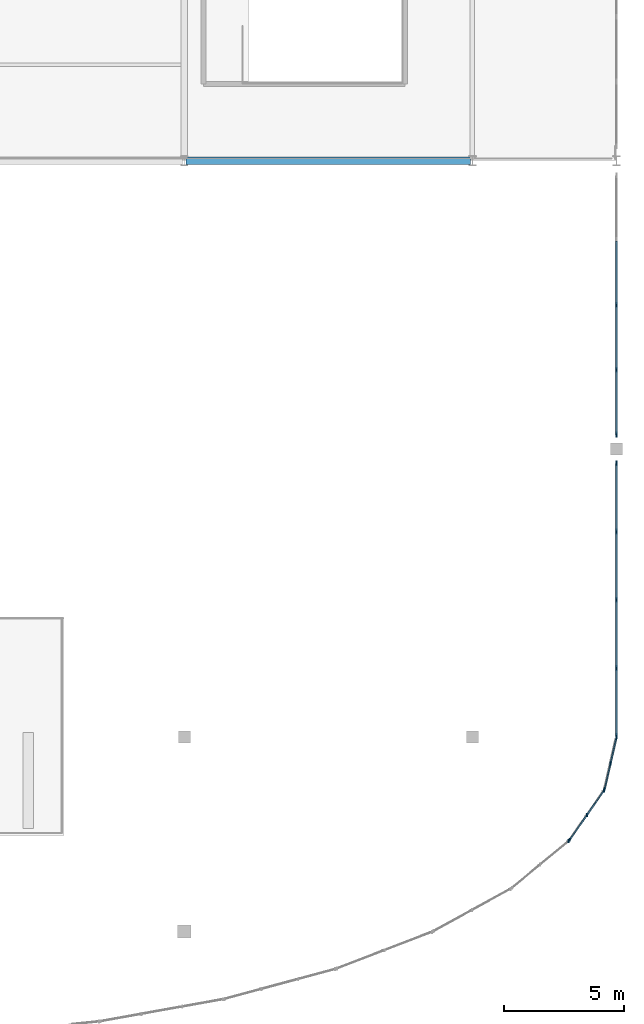
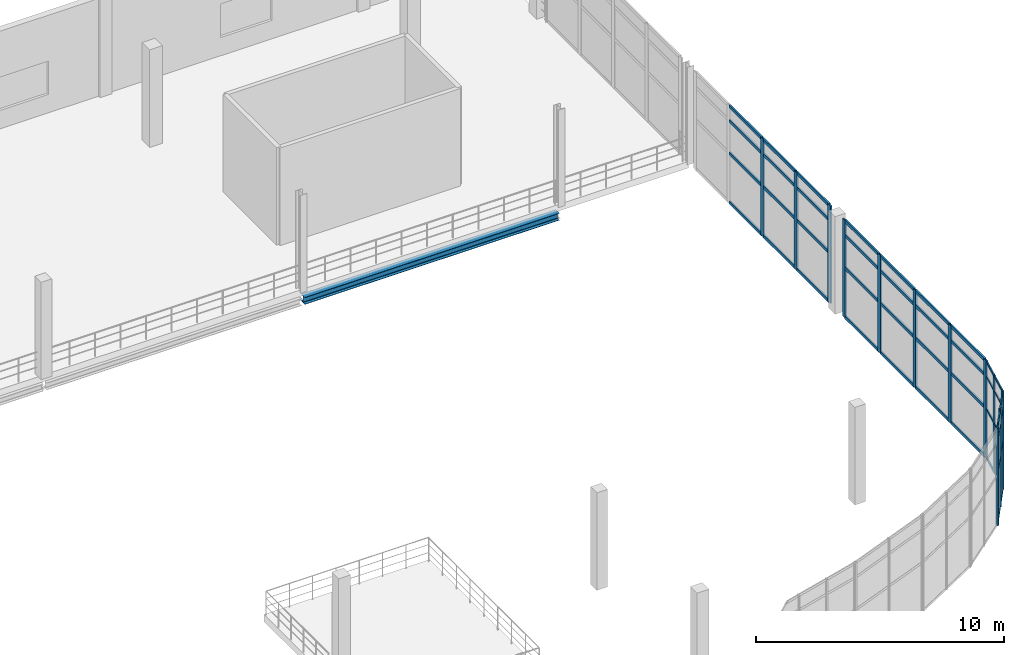
# One storey, part 24 of 52: 59 members, 1 beam, 5 elements without a shape of their own.
"""IFC4 building model written with IfcOpenShell, lengths in metres."""

from ifc_helpers import new_model, si_unit, direction, frame, origin, origin_2d, place, context, subcontext, project, spatial, rectangle, i_section, extrude, material, material_profile, profile_set, type_object, element, aggregate, save


model = new_model("IFC4")

# Units and contexts
model_context = context("Model", 3, precision=1e-05, world=origin(), true_north=direction((0.0, 1.0)))
body_context = subcontext(model_context, "Body", "Model", "MODEL_VIEW")
ifc_project = project(units=[si_unit("LENGTHUNIT", "METRE"), si_unit("AREAUNIT", "SQUARE_METRE"), si_unit("VOLUMEUNIT", "CUBIC_METRE"), si_unit("PLANEANGLEUNIT", "RADIAN"), si_unit("MASSUNIT", "GRAM", prefix="KILO"), si_unit("THERMODYNAMICTEMPERATUREUNIT", "KELVIN"), si_unit("POWERUNIT", "WATT")], contexts=[model_context])

# Site, building, storey
site_placement = place(None, origin())
site = spatial("IfcSite", under=ifc_project, at=site_placement, CompositionType="ELEMENT")
building_placement = place(site_placement, origin())
building = spatial("IfcBuilding", under=site, at=building_placement, Name="Solmara Park Aquatics Centre", CompositionType="ELEMENT")
storey_placement = place(building_placement, frame((0.0, 0.0, 9.60009765625)))
storey = spatial("IfcBuildingStorey", under=building, at=storey_placement, Name="L02", CompositionType="ELEMENT", Elevation=9.60009765625)

# Curtain wall, member
ifc_material_1 = material(Name="Anodised Aluminium Curtain Wall Framing", Category="aluminium")
curtain_wall_type = type_object("IfcCurtainWallType", Name="ARC-CW-SYS03", PredefinedType="USERDEFINED", material=ifc_material_1)
curtain_wall_1_placement = place(storey_placement, origin())
curtain_wall_1 = element("IfcCurtainWall", 1, at=curtain_wall_1_placement, inside=storey, type_object=curtain_wall_type, Name="Curtain Wall CW-066", ObjectType="CURTAIN WALL", PredefinedType="USERDEFINED")
ifc_material_2 = material(Name="Anodised Aluminium Alloy 6063-T6", Category="aluminium")
ifc_material_profile_1 = material_profile(ifc_material_2, rectangle(XDim=0.054931640625, YDim=0.139892578125, at=origin_2d()), Name="ALU MULLION 55x140")
ifc_profile_set_1 = profile_set([ifc_material_profile_1], Name="Anodised Aluminium Alloy 6063-T6")
member_type_1 = type_object("IfcMemberType", Name="ARC-CWM-55x140", PredefinedType="MULLION", material=ifc_profile_set_1)
member_1_placement = place(storey_placement, frame((159.9970703125, 8.264892578125, 0.0), z_axis=(0.0, 0.0, 1.0), x_axis=(1.0, 0.0, 0.0)))
member_1 = element("IfcMember", 2, at=member_1_placement, type_object=member_type_1, Name="CW-066 mullion 3", PredefinedType="MULLION", context=body_context, shape_type="SweptSolid", body=[
    extrude(rectangle(XDim=0.054931640625, YDim=0.139892578125, at=origin_2d()), origin(), (0.0, 0.0, 1.0), 4.7998046875),
])
aggregate(curtain_wall_1, [member_1])

# Curtain wall, members
curtain_wall_2_placement = place(storey_placement, origin())
curtain_wall_2 = element("IfcCurtainWall", 3, at=curtain_wall_2_placement, inside=storey, type_object=curtain_wall_type, Name="Curtain Wall CW-069", ObjectType="CURTAIN WALL", PredefinedType="USERDEFINED")
member_2_placement = place(storey_placement, frame((160.05078125, 8.3232421875, 0.0), z_axis=(0.0, 0.0, 1.0), x_axis=(1.0, 0.0, 0.0)))
member_2 = element("IfcMember", 4, at=member_2_placement, type_object=member_type_1, Name="CW-069 mullion 1", PredefinedType="MULLION", context=body_context, shape_type="SweptSolid", body=[
    extrude(rectangle(XDim=0.054931640625, YDim=0.139892578125, at=origin_2d()), origin(), (0.0, 0.0, 1.0), 4.7998046875),
])
member_3_placement = place(storey_placement, frame((160.765380859375, 9.351318359375, 0.0), z_axis=(0.0, 0.0, 1.0), x_axis=(1.0, 0.0, 0.0)))
member_3 = element("IfcMember", 5, at=member_3_placement, type_object=member_type_1, Name="CW-069 mullion 2", PredefinedType="MULLION", context=body_context, shape_type="SweptSolid", body=[
    extrude(rectangle(XDim=0.054931640625, YDim=0.139892578125, at=origin_2d()), origin(), (0.0, 0.0, 1.0), 4.7998046875),
])
member_4_placement = place(storey_placement, frame((161.48046875, 10.379150390625, 0.0), z_axis=(0.0, 0.0, 1.0), x_axis=(1.0, 0.0, 0.0)))
member_4 = element("IfcMember", 6, at=member_4_placement, type_object=member_type_1, Name="CW-069 mullion 3", PredefinedType="MULLION", context=body_context, shape_type="SweptSolid", body=[
    extrude(rectangle(XDim=0.054931640625, YDim=0.139892578125, at=origin_2d()), origin(), (0.0, 0.0, 1.0), 4.7998046875),
])

curtain_wall_3_placement = place(storey_placement, origin())
curtain_wall_3 = element("IfcCurtainWall", 7, at=curtain_wall_3_placement, inside=storey, type_object=curtain_wall_type, Name="Curtain Wall CW-072", ObjectType="CURTAIN WALL", PredefinedType="USERDEFINED")
member_5_placement = place(storey_placement, frame((161.51220703125, 10.450927734375, 0.0), z_axis=(0.0, 0.0, 1.0), x_axis=(1.0, 0.0, 0.0)))
member_5 = element("IfcMember", 8, at=member_5_placement, type_object=member_type_1, Name="CW-072 mullion 1", PredefinedType="MULLION", context=body_context, shape_type="SweptSolid", body=[
    extrude(rectangle(XDim=0.054931640625, YDim=0.139892578125, at=origin_2d()), origin(), (0.0, 0.0, 1.0), 4.7998046875),
])
member_6_placement = place(storey_placement, frame((161.751708984375, 11.506103515625, 0.0), z_axis=(0.0, 0.0, 1.0), x_axis=(1.0, 0.0, 0.0)))
member_6 = element("IfcMember", 9, at=member_6_placement, type_object=member_type_1, Name="CW-072 mullion 2", PredefinedType="MULLION", context=body_context, shape_type="SweptSolid", body=[
    extrude(rectangle(XDim=0.054931640625, YDim=0.139892578125, at=origin_2d()), origin(), (0.0, 0.0, 1.0), 4.7998046875),
])
member_7_placement = place(storey_placement, frame((161.9912109375, 12.56103515625, 0.0), z_axis=(0.0, 0.0, 1.0), x_axis=(1.0, 0.0, 0.0)))
member_7 = element("IfcMember", 10, at=member_7_placement, type_object=member_type_1, Name="CW-072 mullion 3", PredefinedType="MULLION", context=body_context, shape_type="SweptSolid", body=[
    extrude(rectangle(XDim=0.054931640625, YDim=0.139892578125, at=origin_2d()), origin(), (0.0, 0.0, 1.0), 4.7998046875),
])

curtain_wall_4_placement = place(storey_placement, origin())
curtain_wall_4 = element("IfcCurtainWall", 11, at=curtain_wall_4_placement, inside=storey, type_object=curtain_wall_type, Name="Curtain Wall CW-076", ObjectType="CURTAIN WALL", PredefinedType="USERDEFINED")
ifc_material_profile_2 = material_profile(ifc_material_2, rectangle(XDim=0.074951171875, YDim=0.219970703125, at=origin_2d()), Name="ALU MULLION 75x220")
ifc_profile_set_2 = profile_set([ifc_material_profile_2], Name="Anodised Aluminium Alloy 6063-T6")
member_type_2 = type_object("IfcMemberType", Name="ARC-CWM-75x220", PredefinedType="MULLION", material=ifc_profile_set_2)
member_8_placement = place(storey_placement, frame((162.0, 12.639892578125, 0.0), z_axis=(0.0, 0.0, 1.0), x_axis=(1.0, 0.0, 0.0)))
member_8 = element("IfcMember", 12, at=member_8_placement, type_object=member_type_2, Name="CW-076 mullion 1", PredefinedType="MULLION", context=body_context, shape_type="SweptSolid", body=[
    extrude(rectangle(XDim=0.074951171875, YDim=0.219970703125, at=origin_2d()), origin(), (0.0, 0.0, 1.0), 4.7998046875),
])
member_9_placement = place(storey_placement, frame((162.0, 15.47998046875, 0.0), z_axis=(0.0, 0.0, 1.0), x_axis=(1.0, 0.0, 0.0)))
member_9 = element("IfcMember", 13, at=member_9_placement, type_object=member_type_2, Name="CW-076 mullion 2", PredefinedType="MULLION", context=body_context, shape_type="SweptSolid", body=[
    extrude(rectangle(XDim=0.074951171875, YDim=0.219970703125, at=origin_2d()), origin(), (0.0, 0.0, 1.0), 4.7998046875),
])
member_10_placement = place(storey_placement, frame((162.0, 18.320068359375, 0.0), z_axis=(0.0, 0.0, 1.0), x_axis=(1.0, 0.0, 0.0)))
member_10 = element("IfcMember", 14, at=member_10_placement, type_object=member_type_2, Name="CW-076 mullion 3", PredefinedType="MULLION", context=body_context, shape_type="SweptSolid", body=[
    extrude(rectangle(XDim=0.074951171875, YDim=0.219970703125, at=origin_2d()), origin(), (0.0, 0.0, 1.0), 4.7998046875),
])
member_11_placement = place(storey_placement, frame((162.0, 21.159912109375, 0.0), z_axis=(0.0, 0.0, 1.0), x_axis=(1.0, 0.0, 0.0)))
member_11 = element("IfcMember", 15, at=member_11_placement, type_object=member_type_2, Name="CW-076 mullion 4", PredefinedType="MULLION", context=body_context, shape_type="SweptSolid", body=[
    extrude(rectangle(XDim=0.074951171875, YDim=0.219970703125, at=origin_2d()), origin(), (0.0, 0.0, 1.0), 4.7998046875),
])
member_12_placement = place(storey_placement, frame((162.0, 24.0, 0.0), z_axis=(0.0, 0.0, 1.0), x_axis=(1.0, 0.0, 0.0)))
member_12 = element("IfcMember", 16, at=member_12_placement, type_object=member_type_2, Name="CW-076 mullion 5", PredefinedType="MULLION", context=body_context, shape_type="SweptSolid", body=[
    extrude(rectangle(XDim=0.074951171875, YDim=0.219970703125, at=origin_2d()), origin(), (0.0, 0.0, 1.0), 4.7998046875),
])

curtain_wall_5_placement = place(storey_placement, origin())
curtain_wall_5 = element("IfcCurtainWall", 17, at=curtain_wall_5_placement, inside=storey, type_object=curtain_wall_type, Name="Curtain Wall CW-079", ObjectType="CURTAIN WALL", PredefinedType="USERDEFINED")
member_13_placement = place(storey_placement, frame((162.0, 25.199951171875, 0.0), z_axis=(0.0, 0.0, 1.0), x_axis=(1.0, 0.0, 0.0)))
member_13 = element("IfcMember", 18, at=member_13_placement, type_object=member_type_2, Name="CW-079 mullion 1", PredefinedType="MULLION", context=body_context, shape_type="SweptSolid", body=[
    extrude(rectangle(XDim=0.074951171875, YDim=0.219970703125, at=origin_2d()), origin(), (0.0, 0.0, 1.0), 4.7998046875),
])
member_14_placement = place(storey_placement, frame((162.0, 27.89990234375, 0.0), z_axis=(0.0, 0.0, 1.0), x_axis=(1.0, 0.0, 0.0)))
member_14 = element("IfcMember", 19, at=member_14_placement, type_object=member_type_2, Name="CW-079 mullion 2", PredefinedType="MULLION", context=body_context, shape_type="SweptSolid", body=[
    extrude(rectangle(XDim=0.074951171875, YDim=0.219970703125, at=origin_2d()), origin(), (0.0, 0.0, 1.0), 4.7998046875),
])
member_15_placement = place(storey_placement, frame((162.0, 30.60009765625, 0.0), z_axis=(0.0, 0.0, 1.0), x_axis=(1.0, 0.0, 0.0)))
member_15 = element("IfcMember", 20, at=member_15_placement, type_object=member_type_2, Name="CW-079 mullion 3", PredefinedType="MULLION", context=body_context, shape_type="SweptSolid", body=[
    extrude(rectangle(XDim=0.074951171875, YDim=0.219970703125, at=origin_2d()), origin(), (0.0, 0.0, 1.0), 4.7998046875),
])

# Member
ifc_material_profile_3 = material_profile(ifc_material_2, rectangle(XDim=0.054931640625, YDim=0.110107421875, at=origin_2d()), Name="ALU TRANSOM 55x110")
ifc_profile_set_3 = profile_set([ifc_material_profile_3], Name="Anodised Aluminium Alloy 6063-T6")
member_type_3 = type_object("IfcMemberType", Name="ARC-CWT-55x110", PredefinedType="USERDEFINED", material=ifc_profile_set_3)
member_16_placement = place(storey_placement, frame((160.062255859375, 8.33984375, 0.039794921875), z_axis=(0.570844718132, 0.821058041664, 0.0), x_axis=(-0.821058041664, 0.570844718132, 0.0)))
member_16 = element("IfcMember", 21, at=member_16_placement, type_object=member_type_3, Name="CW-069 transom 1", ObjectType="TRANSOM", PredefinedType="USERDEFINED", context=body_context, shape_type="SweptSolid", body=[
    extrude(rectangle(XDim=0.054931640625, YDim=0.110107421875, at=origin_2d()), origin(), (0.0, 0.0, 1.0), 1.171875),
])

member_17_placement = place(storey_placement, frame((160.062255859375, 8.33984375, 2.449951171875), z_axis=(0.570844718132, 0.821058041664, 0.0), x_axis=(-0.821058041664, 0.570844718132, 0.0)))
member_17 = element("IfcMember", 22, at=member_17_placement, type_object=member_type_3, Name="CW-069 transom 2", ObjectType="TRANSOM", PredefinedType="USERDEFINED", context=body_context, shape_type="SweptSolid", body=[
    extrude(rectangle(XDim=0.054931640625, YDim=0.110107421875, at=origin_2d()), origin(), (0.0, 0.0, 1.0), 1.171875),
])

member_18_placement = place(storey_placement, frame((160.062255859375, 8.33984375, 4.0498046875), z_axis=(0.570844718132, 0.821058041664, 0.0), x_axis=(-0.821058041664, 0.570844718132, 0.0)))
member_18 = element("IfcMember", 23, at=member_18_placement, type_object=member_type_3, Name="CW-069 transom 3", ObjectType="TRANSOM", PredefinedType="USERDEFINED", context=body_context, shape_type="SweptSolid", body=[
    extrude(rectangle(XDim=0.054931640625, YDim=0.110107421875, at=origin_2d()), origin(), (0.0, 0.0, 1.0), 1.171875),
])

member_19_placement = place(storey_placement, frame((160.062255859375, 8.33984375, 4.760009765625), z_axis=(0.570844718132, 0.821058041664, 0.0), x_axis=(-0.821058041664, 0.570844718132, 0.0)))
member_19 = element("IfcMember", 24, at=member_19_placement, type_object=member_type_3, Name="CW-069 transom 4", ObjectType="TRANSOM", PredefinedType="USERDEFINED", context=body_context, shape_type="SweptSolid", body=[
    extrude(rectangle(XDim=0.054931640625, YDim=0.110107421875, at=origin_2d()), origin(), (0.0, 0.0, 1.0), 1.171875),
])

member_20_placement = place(storey_placement, frame((160.777099609375, 9.36767578125, 0.039794921875), z_axis=(0.570844718132, 0.821058041664, 0.0), x_axis=(-0.821058041664, 0.570844718132, 0.0)))
member_20 = element("IfcMember", 25, at=member_20_placement, type_object=member_type_3, Name="CW-069 transom 5", ObjectType="TRANSOM", PredefinedType="USERDEFINED", context=body_context, shape_type="SweptSolid", body=[
    extrude(rectangle(XDim=0.054931640625, YDim=0.110107421875, at=origin_2d()), origin(), (0.0, 0.0, 1.0), 1.171875),
])

member_21_placement = place(storey_placement, frame((160.777099609375, 9.36767578125, 2.449951171875), z_axis=(0.570844718132, 0.821058041664, 0.0), x_axis=(-0.821058041664, 0.570844718132, 0.0)))
member_21 = element("IfcMember", 26, at=member_21_placement, type_object=member_type_3, Name="CW-069 transom 6", ObjectType="TRANSOM", PredefinedType="USERDEFINED", context=body_context, shape_type="SweptSolid", body=[
    extrude(rectangle(XDim=0.054931640625, YDim=0.110107421875, at=origin_2d()), origin(), (0.0, 0.0, 1.0), 1.171875),
])

member_22_placement = place(storey_placement, frame((160.777099609375, 9.36767578125, 4.0498046875), z_axis=(0.570844718132, 0.821058041664, 0.0), x_axis=(-0.821058041664, 0.570844718132, 0.0)))
member_22 = element("IfcMember", 27, at=member_22_placement, type_object=member_type_3, Name="CW-069 transom 7", ObjectType="TRANSOM", PredefinedType="USERDEFINED", context=body_context, shape_type="SweptSolid", body=[
    extrude(rectangle(XDim=0.054931640625, YDim=0.110107421875, at=origin_2d()), origin(), (0.0, 0.0, 1.0), 1.171875),
])

member_23_placement = place(storey_placement, frame((160.777099609375, 9.36767578125, 4.760009765625), z_axis=(0.570844718132, 0.821058041664, 0.0), x_axis=(-0.821058041664, 0.570844718132, 0.0)))
member_23 = element("IfcMember", 28, at=member_23_placement, type_object=member_type_3, Name="CW-069 transom 8", ObjectType="TRANSOM", PredefinedType="USERDEFINED", context=body_context, shape_type="SweptSolid", body=[
    extrude(rectangle(XDim=0.054931640625, YDim=0.110107421875, at=origin_2d()), origin(), (0.0, 0.0, 1.0), 1.171875),
])

aggregate(curtain_wall_2, [member_2, member_3, member_4, member_16, member_17, member_18, member_19, member_20, member_21, member_22, member_23])

member_24_placement = place(storey_placement, frame((161.5166015625, 10.470458984375, 0.039794921875), z_axis=(0.221262986653, 0.975214176854, 0.0), x_axis=(-0.975214176854, 0.221262986653, 0.0)))
member_24 = element("IfcMember", 29, at=member_24_placement, type_object=member_type_3, Name="CW-072 transom 1", ObjectType="TRANSOM", PredefinedType="USERDEFINED", context=body_context, shape_type="SweptSolid", body=[
    extrude(rectangle(XDim=0.054931640625, YDim=0.110107421875, at=origin_2d()), origin(), (0.0, 0.0, 1.0), 1.001953125),
])

member_25_placement = place(storey_placement, frame((161.5166015625, 10.470458984375, 2.449951171875), z_axis=(0.221262986653, 0.975214176854, 0.0), x_axis=(-0.975214176854, 0.221262986653, 0.0)))
member_25 = element("IfcMember", 30, at=member_25_placement, type_object=member_type_3, Name="CW-072 transom 2", ObjectType="TRANSOM", PredefinedType="USERDEFINED", context=body_context, shape_type="SweptSolid", body=[
    extrude(rectangle(XDim=0.054931640625, YDim=0.110107421875, at=origin_2d()), origin(), (0.0, 0.0, 1.0), 1.001953125),
])

member_26_placement = place(storey_placement, frame((161.5166015625, 10.470458984375, 4.0498046875), z_axis=(0.221262986653, 0.975214176854, 0.0), x_axis=(-0.975214176854, 0.221262986653, 0.0)))
member_26 = element("IfcMember", 31, at=member_26_placement, type_object=member_type_3, Name="CW-072 transom 3", ObjectType="TRANSOM", PredefinedType="USERDEFINED", context=body_context, shape_type="SweptSolid", body=[
    extrude(rectangle(XDim=0.054931640625, YDim=0.110107421875, at=origin_2d()), origin(), (0.0, 0.0, 1.0), 1.001953125),
])

member_27_placement = place(storey_placement, frame((161.5166015625, 10.470458984375, 4.760009765625), z_axis=(0.221262986653, 0.975214176854, 0.0), x_axis=(-0.975214176854, 0.221262986653, 0.0)))
member_27 = element("IfcMember", 32, at=member_27_placement, type_object=member_type_3, Name="CW-072 transom 4", ObjectType="TRANSOM", PredefinedType="USERDEFINED", context=body_context, shape_type="SweptSolid", body=[
    extrude(rectangle(XDim=0.054931640625, YDim=0.110107421875, at=origin_2d()), origin(), (0.0, 0.0, 1.0), 1.001953125),
])

member_28_placement = place(storey_placement, frame((161.756103515625, 11.525390625, 0.039794921875), z_axis=(0.221262986653, 0.975214176854, 0.0), x_axis=(-0.975214176854, 0.221262986653, 0.0)))
member_28 = element("IfcMember", 33, at=member_28_placement, type_object=member_type_3, Name="CW-072 transom 5", ObjectType="TRANSOM", PredefinedType="USERDEFINED", context=body_context, shape_type="SweptSolid", body=[
    extrude(rectangle(XDim=0.054931640625, YDim=0.110107421875, at=origin_2d()), origin(), (0.0, 0.0, 1.0), 1.001953125),
])

member_29_placement = place(storey_placement, frame((161.756103515625, 11.525390625, 2.449951171875), z_axis=(0.221262986653, 0.975214176854, 0.0), x_axis=(-0.975214176854, 0.221262986653, 0.0)))
member_29 = element("IfcMember", 34, at=member_29_placement, type_object=member_type_3, Name="CW-072 transom 6", ObjectType="TRANSOM", PredefinedType="USERDEFINED", context=body_context, shape_type="SweptSolid", body=[
    extrude(rectangle(XDim=0.054931640625, YDim=0.110107421875, at=origin_2d()), origin(), (0.0, 0.0, 1.0), 1.001953125),
])

member_30_placement = place(storey_placement, frame((161.756103515625, 11.525390625, 4.0498046875), z_axis=(0.221262986653, 0.975214176854, 0.0), x_axis=(-0.975214176854, 0.221262986653, 0.0)))
member_30 = element("IfcMember", 35, at=member_30_placement, type_object=member_type_3, Name="CW-072 transom 7", ObjectType="TRANSOM", PredefinedType="USERDEFINED", context=body_context, shape_type="SweptSolid", body=[
    extrude(rectangle(XDim=0.054931640625, YDim=0.110107421875, at=origin_2d()), origin(), (0.0, 0.0, 1.0), 1.001953125),
])

member_31_placement = place(storey_placement, frame((161.756103515625, 11.525390625, 4.760009765625), z_axis=(0.221262986653, 0.975214176854, 0.0), x_axis=(-0.975214176854, 0.221262986653, 0.0)))
member_31 = element("IfcMember", 36, at=member_31_placement, type_object=member_type_3, Name="CW-072 transom 8", ObjectType="TRANSOM", PredefinedType="USERDEFINED", context=body_context, shape_type="SweptSolid", body=[
    extrude(rectangle(XDim=0.054931640625, YDim=0.110107421875, at=origin_2d()), origin(), (0.0, 0.0, 1.0), 1.001953125),
])

aggregate(curtain_wall_3, [member_5, member_6, member_7, member_24, member_25, member_26, member_27, member_28, member_29, member_30, member_31])

ifc_material_profile_4 = material_profile(ifc_material_2, rectangle(XDim=0.074951171875, YDim=0.14990234375, at=origin_2d()), Name="ALU TRANSOM 75x150")
ifc_profile_set_4 = profile_set([ifc_material_profile_4], Name="Anodised Aluminium Alloy 6063-T6")
member_type_4 = type_object("IfcMemberType", Name="ARC-CWT-75x150", PredefinedType="USERDEFINED", material=ifc_profile_set_4)
member_32_placement = place(storey_placement, frame((162.0, 12.659912109375, 0.039794921875), z_axis=(0.0, 1.0, 0.0), x_axis=(-1.0, 0.0, 0.0)))
member_32 = element("IfcMember", 37, at=member_32_placement, type_object=member_type_4, Name="CW-076 transom 1", ObjectType="TRANSOM", PredefinedType="USERDEFINED", context=body_context, shape_type="SweptSolid", body=[
    extrude(rectangle(XDim=0.074951171875, YDim=0.14990234375, at=origin_2d()), origin(), (0.0, 0.0, 1.0), 2.760009765625),
])

member_33_placement = place(storey_placement, frame((162.0, 12.659912109375, 2.449951171875), z_axis=(0.0, 1.0, 0.0), x_axis=(-1.0, 0.0, 0.0)))
member_33 = element("IfcMember", 38, at=member_33_placement, type_object=member_type_4, Name="CW-076 transom 2", ObjectType="TRANSOM", PredefinedType="USERDEFINED", context=body_context, shape_type="SweptSolid", body=[
    extrude(rectangle(XDim=0.074951171875, YDim=0.14990234375, at=origin_2d()), origin(), (0.0, 0.0, 1.0), 2.760009765625),
])

member_34_placement = place(storey_placement, frame((162.0, 12.659912109375, 4.0498046875), z_axis=(0.0, 1.0, 0.0), x_axis=(-1.0, 0.0, 0.0)))
member_34 = element("IfcMember", 39, at=member_34_placement, type_object=member_type_4, Name="CW-076 transom 3", ObjectType="TRANSOM", PredefinedType="USERDEFINED", context=body_context, shape_type="SweptSolid", body=[
    extrude(rectangle(XDim=0.074951171875, YDim=0.14990234375, at=origin_2d()), origin(), (0.0, 0.0, 1.0), 2.760009765625),
])

member_35_placement = place(storey_placement, frame((162.0, 12.659912109375, 4.760009765625), z_axis=(0.0, 1.0, 0.0), x_axis=(-1.0, 0.0, 0.0)))
member_35 = element("IfcMember", 40, at=member_35_placement, type_object=member_type_4, Name="CW-076 transom 4", ObjectType="TRANSOM", PredefinedType="USERDEFINED", context=body_context, shape_type="SweptSolid", body=[
    extrude(rectangle(XDim=0.074951171875, YDim=0.14990234375, at=origin_2d()), origin(), (0.0, 0.0, 1.0), 2.760009765625),
])

member_36_placement = place(storey_placement, frame((162.0, 15.5, 0.039794921875), z_axis=(0.0, 1.0, 0.0), x_axis=(-1.0, 0.0, 0.0)))
member_36 = element("IfcMember", 41, at=member_36_placement, type_object=member_type_4, Name="CW-076 transom 5", ObjectType="TRANSOM", PredefinedType="USERDEFINED", context=body_context, shape_type="SweptSolid", body=[
    extrude(rectangle(XDim=0.074951171875, YDim=0.14990234375, at=origin_2d()), origin(), (0.0, 0.0, 1.0), 2.760009765625),
])

member_37_placement = place(storey_placement, frame((162.0, 15.5, 2.449951171875), z_axis=(0.0, 1.0, 0.0), x_axis=(-1.0, 0.0, 0.0)))
member_37 = element("IfcMember", 42, at=member_37_placement, type_object=member_type_4, Name="CW-076 transom 6", ObjectType="TRANSOM", PredefinedType="USERDEFINED", context=body_context, shape_type="SweptSolid", body=[
    extrude(rectangle(XDim=0.074951171875, YDim=0.14990234375, at=origin_2d()), origin(), (0.0, 0.0, 1.0), 2.760009765625),
])

member_38_placement = place(storey_placement, frame((162.0, 15.5, 4.0498046875), z_axis=(0.0, 1.0, 0.0), x_axis=(-1.0, 0.0, 0.0)))
member_38 = element("IfcMember", 43, at=member_38_placement, type_object=member_type_4, Name="CW-076 transom 7", ObjectType="TRANSOM", PredefinedType="USERDEFINED", context=body_context, shape_type="SweptSolid", body=[
    extrude(rectangle(XDim=0.074951171875, YDim=0.14990234375, at=origin_2d()), origin(), (0.0, 0.0, 1.0), 2.760009765625),
])

member_39_placement = place(storey_placement, frame((162.0, 15.5, 4.760009765625), z_axis=(0.0, 1.0, 0.0), x_axis=(-1.0, 0.0, 0.0)))
member_39 = element("IfcMember", 44, at=member_39_placement, type_object=member_type_4, Name="CW-076 transom 8", ObjectType="TRANSOM", PredefinedType="USERDEFINED", context=body_context, shape_type="SweptSolid", body=[
    extrude(rectangle(XDim=0.074951171875, YDim=0.14990234375, at=origin_2d()), origin(), (0.0, 0.0, 1.0), 2.760009765625),
])

member_40_placement = place(storey_placement, frame((162.0, 18.340087890625, 0.039794921875), z_axis=(0.0, 1.0, 0.0), x_axis=(-1.0, 0.0, 0.0)))
member_40 = element("IfcMember", 45, at=member_40_placement, type_object=member_type_4, Name="CW-076 transom 9", ObjectType="TRANSOM", PredefinedType="USERDEFINED", context=body_context, shape_type="SweptSolid", body=[
    extrude(rectangle(XDim=0.074951171875, YDim=0.14990234375, at=origin_2d()), origin(), (0.0, 0.0, 1.0), 2.760009765625),
])

member_41_placement = place(storey_placement, frame((162.0, 18.340087890625, 2.449951171875), z_axis=(0.0, 1.0, 0.0), x_axis=(-1.0, 0.0, 0.0)))
member_41 = element("IfcMember", 46, at=member_41_placement, type_object=member_type_4, Name="CW-076 transom 10", ObjectType="TRANSOM", PredefinedType="USERDEFINED", context=body_context, shape_type="SweptSolid", body=[
    extrude(rectangle(XDim=0.074951171875, YDim=0.14990234375, at=origin_2d()), origin(), (0.0, 0.0, 1.0), 2.760009765625),
])

member_42_placement = place(storey_placement, frame((162.0, 18.340087890625, 4.0498046875), z_axis=(0.0, 1.0, 0.0), x_axis=(-1.0, 0.0, 0.0)))
member_42 = element("IfcMember", 47, at=member_42_placement, type_object=member_type_4, Name="CW-076 transom 11", ObjectType="TRANSOM", PredefinedType="USERDEFINED", context=body_context, shape_type="SweptSolid", body=[
    extrude(rectangle(XDim=0.074951171875, YDim=0.14990234375, at=origin_2d()), origin(), (0.0, 0.0, 1.0), 2.760009765625),
])

member_43_placement = place(storey_placement, frame((162.0, 18.340087890625, 4.760009765625), z_axis=(0.0, 1.0, 0.0), x_axis=(-1.0, 0.0, 0.0)))
member_43 = element("IfcMember", 48, at=member_43_placement, type_object=member_type_4, Name="CW-076 transom 12", ObjectType="TRANSOM", PredefinedType="USERDEFINED", context=body_context, shape_type="SweptSolid", body=[
    extrude(rectangle(XDim=0.074951171875, YDim=0.14990234375, at=origin_2d()), origin(), (0.0, 0.0, 1.0), 2.760009765625),
])

member_44_placement = place(storey_placement, frame((162.0, 21.179931640625, 0.039794921875), z_axis=(0.0, 1.0, 0.0), x_axis=(-1.0, 0.0, 0.0)))
member_44 = element("IfcMember", 49, at=member_44_placement, type_object=member_type_4, Name="CW-076 transom 13", ObjectType="TRANSOM", PredefinedType="USERDEFINED", context=body_context, shape_type="SweptSolid", body=[
    extrude(rectangle(XDim=0.074951171875, YDim=0.14990234375, at=origin_2d()), origin(), (0.0, 0.0, 1.0), 2.760009765625),
])

member_45_placement = place(storey_placement, frame((162.0, 21.179931640625, 2.449951171875), z_axis=(0.0, 1.0, 0.0), x_axis=(-1.0, 0.0, 0.0)))
member_45 = element("IfcMember", 50, at=member_45_placement, type_object=member_type_4, Name="CW-076 transom 14", ObjectType="TRANSOM", PredefinedType="USERDEFINED", context=body_context, shape_type="SweptSolid", body=[
    extrude(rectangle(XDim=0.074951171875, YDim=0.14990234375, at=origin_2d()), origin(), (0.0, 0.0, 1.0), 2.760009765625),
])

member_46_placement = place(storey_placement, frame((162.0, 21.179931640625, 4.0498046875), z_axis=(0.0, 1.0, 0.0), x_axis=(-1.0, 0.0, 0.0)))
member_46 = element("IfcMember", 51, at=member_46_placement, type_object=member_type_4, Name="CW-076 transom 15", ObjectType="TRANSOM", PredefinedType="USERDEFINED", context=body_context, shape_type="SweptSolid", body=[
    extrude(rectangle(XDim=0.074951171875, YDim=0.14990234375, at=origin_2d()), origin(), (0.0, 0.0, 1.0), 2.760009765625),
])

member_47_placement = place(storey_placement, frame((162.0, 21.179931640625, 4.760009765625), z_axis=(0.0, 1.0, 0.0), x_axis=(-1.0, 0.0, 0.0)))
member_47 = element("IfcMember", 52, at=member_47_placement, type_object=member_type_4, Name="CW-076 transom 16", ObjectType="TRANSOM", PredefinedType="USERDEFINED", context=body_context, shape_type="SweptSolid", body=[
    extrude(rectangle(XDim=0.074951171875, YDim=0.14990234375, at=origin_2d()), origin(), (0.0, 0.0, 1.0), 2.760009765625),
])

aggregate(curtain_wall_4, [member_8, member_9, member_10, member_11, member_12, member_32, member_33, member_34, member_35, member_36, member_37, member_38, member_39, member_40, member_41, member_42, member_43, member_44, member_45, member_46, member_47])

member_48_placement = place(storey_placement, frame((162.0, 25.219970703125, 0.039794921875), z_axis=(0.0, 1.0, 0.0), x_axis=(-1.0, 0.0, 0.0)))
member_48 = element("IfcMember", 53, at=member_48_placement, type_object=member_type_4, Name="CW-079 transom 1", ObjectType="TRANSOM", PredefinedType="USERDEFINED", context=body_context, shape_type="SweptSolid", body=[
    extrude(rectangle(XDim=0.074951171875, YDim=0.14990234375, at=origin_2d()), origin(), (0.0, 0.0, 1.0), 2.6201171875),
])

member_49_placement = place(storey_placement, frame((162.0, 25.219970703125, 2.449951171875), z_axis=(0.0, 1.0, 0.0), x_axis=(-1.0, 0.0, 0.0)))
member_49 = element("IfcMember", 54, at=member_49_placement, type_object=member_type_4, Name="CW-079 transom 2", ObjectType="TRANSOM", PredefinedType="USERDEFINED", context=body_context, shape_type="SweptSolid", body=[
    extrude(rectangle(XDim=0.074951171875, YDim=0.14990234375, at=origin_2d()), origin(), (0.0, 0.0, 1.0), 2.6201171875),
])

member_50_placement = place(storey_placement, frame((162.0, 25.219970703125, 4.0498046875), z_axis=(0.0, 1.0, 0.0), x_axis=(-1.0, 0.0, 0.0)))
member_50 = element("IfcMember", 55, at=member_50_placement, type_object=member_type_4, Name="CW-079 transom 3", ObjectType="TRANSOM", PredefinedType="USERDEFINED", context=body_context, shape_type="SweptSolid", body=[
    extrude(rectangle(XDim=0.074951171875, YDim=0.14990234375, at=origin_2d()), origin(), (0.0, 0.0, 1.0), 2.6201171875),
])

member_51_placement = place(storey_placement, frame((162.0, 25.219970703125, 4.760009765625), z_axis=(0.0, 1.0, 0.0), x_axis=(-1.0, 0.0, 0.0)))
member_51 = element("IfcMember", 56, at=member_51_placement, type_object=member_type_4, Name="CW-079 transom 4", ObjectType="TRANSOM", PredefinedType="USERDEFINED", context=body_context, shape_type="SweptSolid", body=[
    extrude(rectangle(XDim=0.074951171875, YDim=0.14990234375, at=origin_2d()), origin(), (0.0, 0.0, 1.0), 2.6201171875),
])

member_52_placement = place(storey_placement, frame((162.0, 27.919921875, 0.039794921875), z_axis=(0.0, 1.0, 0.0), x_axis=(-1.0, 0.0, 0.0)))
member_52 = element("IfcMember", 57, at=member_52_placement, type_object=member_type_4, Name="CW-079 transom 5", ObjectType="TRANSOM", PredefinedType="USERDEFINED", context=body_context, shape_type="SweptSolid", body=[
    extrude(rectangle(XDim=0.074951171875, YDim=0.14990234375, at=origin_2d()), origin(), (0.0, 0.0, 1.0), 2.6201171875),
])

member_53_placement = place(storey_placement, frame((162.0, 27.919921875, 2.449951171875), z_axis=(0.0, 1.0, 0.0), x_axis=(-1.0, 0.0, 0.0)))
member_53 = element("IfcMember", 58, at=member_53_placement, type_object=member_type_4, Name="CW-079 transom 6", ObjectType="TRANSOM", PredefinedType="USERDEFINED", context=body_context, shape_type="SweptSolid", body=[
    extrude(rectangle(XDim=0.074951171875, YDim=0.14990234375, at=origin_2d()), origin(), (0.0, 0.0, 1.0), 2.6201171875),
])

member_54_placement = place(storey_placement, frame((162.0, 27.919921875, 4.0498046875), z_axis=(0.0, 1.0, 0.0), x_axis=(-1.0, 0.0, 0.0)))
member_54 = element("IfcMember", 59, at=member_54_placement, type_object=member_type_4, Name="CW-079 transom 7", ObjectType="TRANSOM", PredefinedType="USERDEFINED", context=body_context, shape_type="SweptSolid", body=[
    extrude(rectangle(XDim=0.074951171875, YDim=0.14990234375, at=origin_2d()), origin(), (0.0, 0.0, 1.0), 2.6201171875),
])

member_55_placement = place(storey_placement, frame((162.0, 27.919921875, 4.760009765625), z_axis=(0.0, 1.0, 0.0), x_axis=(-1.0, 0.0, 0.0)))
member_55 = element("IfcMember", 60, at=member_55_placement, type_object=member_type_4, Name="CW-079 transom 8", ObjectType="TRANSOM", PredefinedType="USERDEFINED", context=body_context, shape_type="SweptSolid", body=[
    extrude(rectangle(XDim=0.074951171875, YDim=0.14990234375, at=origin_2d()), origin(), (0.0, 0.0, 1.0), 2.6201171875),
])

member_56_placement = place(storey_placement, frame((162.0, 30.6201171875, 0.039794921875), z_axis=(0.0, 1.0, 0.0), x_axis=(-1.0, 0.0, 0.0)))
member_56 = element("IfcMember", 61, at=member_56_placement, type_object=member_type_4, Name="CW-079 transom 9", ObjectType="TRANSOM", PredefinedType="USERDEFINED", context=body_context, shape_type="SweptSolid", body=[
    extrude(rectangle(XDim=0.074951171875, YDim=0.14990234375, at=origin_2d()), origin(), (0.0, 0.0, 1.0), 2.619873046875),
])

member_57_placement = place(storey_placement, frame((162.0, 30.6201171875, 2.449951171875), z_axis=(0.0, 1.0, 0.0), x_axis=(-1.0, 0.0, 0.0)))
member_57 = element("IfcMember", 62, at=member_57_placement, type_object=member_type_4, Name="CW-079 transom 10", ObjectType="TRANSOM", PredefinedType="USERDEFINED", context=body_context, shape_type="SweptSolid", body=[
    extrude(rectangle(XDim=0.074951171875, YDim=0.14990234375, at=origin_2d()), origin(), (0.0, 0.0, 1.0), 2.619873046875),
])

member_58_placement = place(storey_placement, frame((162.0, 30.6201171875, 4.0498046875), z_axis=(0.0, 1.0, 0.0), x_axis=(-1.0, 0.0, 0.0)))
member_58 = element("IfcMember", 63, at=member_58_placement, type_object=member_type_4, Name="CW-079 transom 11", ObjectType="TRANSOM", PredefinedType="USERDEFINED", context=body_context, shape_type="SweptSolid", body=[
    extrude(rectangle(XDim=0.074951171875, YDim=0.14990234375, at=origin_2d()), origin(), (0.0, 0.0, 1.0), 2.619873046875),
])

member_59_placement = place(storey_placement, frame((162.0, 30.6201171875, 4.760009765625), z_axis=(0.0, 1.0, 0.0), x_axis=(-1.0, 0.0, 0.0)))
member_59 = element("IfcMember", 64, at=member_59_placement, type_object=member_type_4, Name="CW-079 transom 12", ObjectType="TRANSOM", PredefinedType="USERDEFINED", context=body_context, shape_type="SweptSolid", body=[
    extrude(rectangle(XDim=0.074951171875, YDim=0.14990234375, at=origin_2d()), origin(), (0.0, 0.0, 1.0), 2.619873046875),
])

aggregate(curtain_wall_5, [member_13, member_14, member_15, member_48, member_49, member_50, member_51, member_52, member_53, member_54, member_55, member_56, member_57, member_58, member_59])

# Beam
ifc_material_3 = material(Name="Structural Steel S355", Category="steel")
ifc_material_profile_5 = material_profile(ifc_material_3, i_section(OverallWidth=0.300048828125, OverallDepth=0.35009765625, WebThickness=0.010009765625, FlangeThickness=0.017578125, FilletRadius=0.027099609375, at=origin_2d()), Name="HEA 360")
ifc_profile_set_5 = profile_set([ifc_material_profile_5], Name="Structural Steel S355")
beam_type = type_object("IfcBeamType", Name="STR-BM-HEA360", PredefinedType="BEAM", material=ifc_profile_set_5)
beam_placement = place(storey_placement, frame((144.080078125, 36.60009765625, -0.4951171875), z_axis=(1.0, 0.0, 0.0), x_axis=(0.0, 1.0, 0.0)))
element("IfcBeam", 65, at=beam_placement, inside=storey, type_object=beam_type, Name="Girder BM-L02-0363", PredefinedType="BEAM", context=body_context, shape_type="SweptSolid", body=[
    extrude(i_section(OverallWidth=0.300048828125, OverallDepth=0.35009765625, WebThickness=0.010009765625, FlangeThickness=0.017578125, FilletRadius=0.027099609375, at=origin_2d()), origin(), (0.0, 0.0, 1.0), 11.83984375),
])

save(model, "model.ifc")
